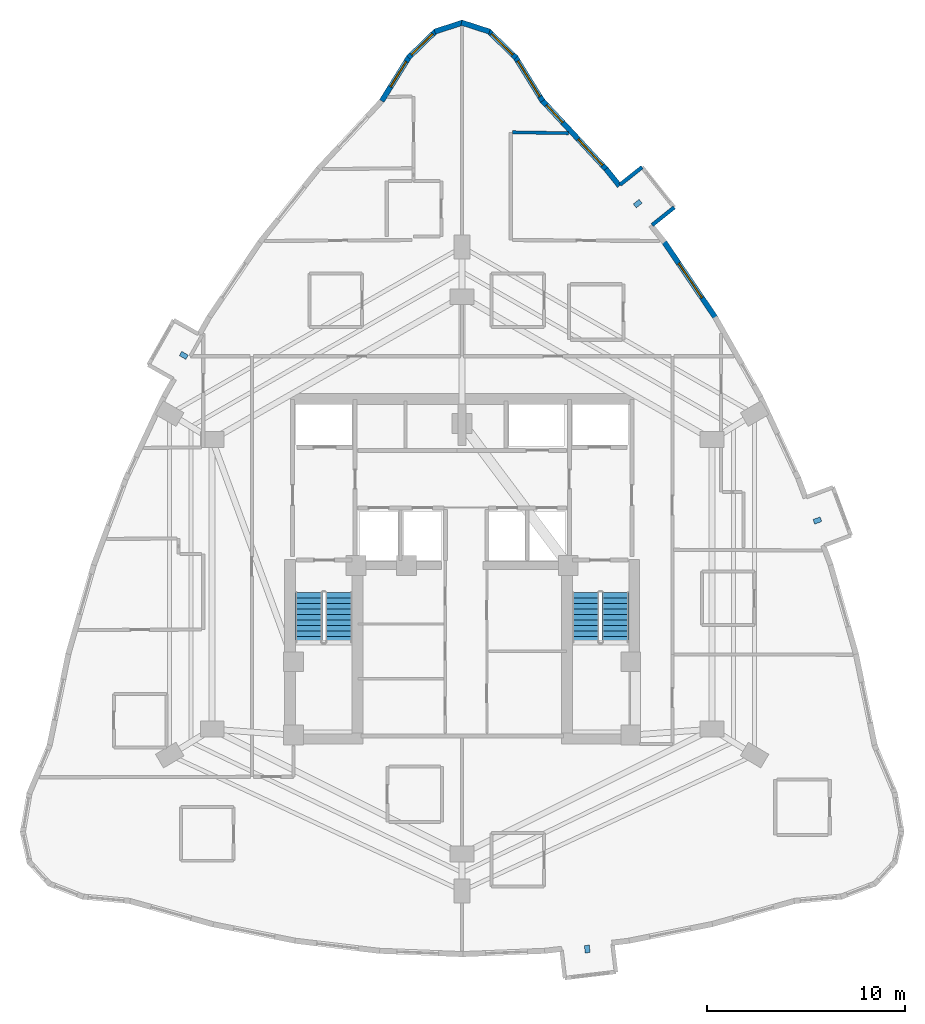
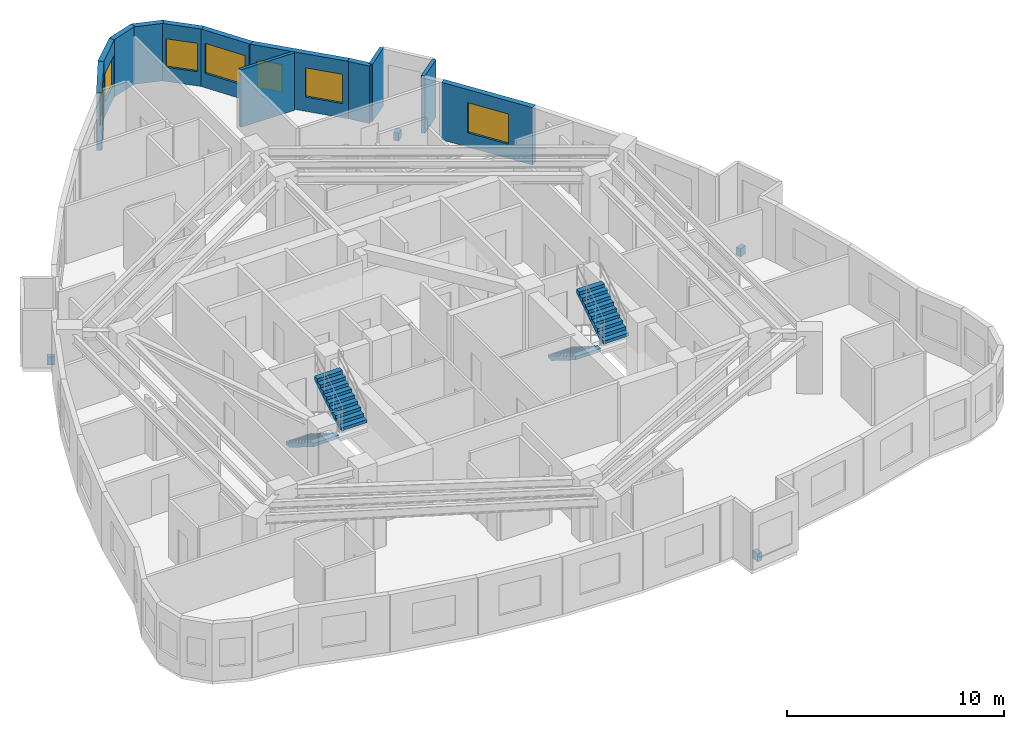
# One storey, part 11 of 12: 12 walls, 7 windows, 4 discrete accessories, 4 stair flights, 7 openings, 2 elements without a shape of their own.
"""IFC4 building model written with IfcOpenShell, lengths in metres."""

from ifc_helpers import new_model, si_unit, direction, frame, frame_2d, origin, origin_2d, place, context, subcontext, project, spatial, polyline, rectangle, outline, extrude, material, layer, layer_set, type_object, element, fill, aggregate, save


model = new_model("IFC4")

# Units and contexts
model_context = context("Model", 3, precision=1e-05, world=origin(), true_north=direction((0.0, 1.0)))
body_context = subcontext(model_context, "Body", "Model", "MODEL_VIEW")
ifc_project = project(units=[si_unit("LENGTHUNIT", "METRE"), si_unit("AREAUNIT", "SQUARE_METRE"), si_unit("VOLUMEUNIT", "CUBIC_METRE"), si_unit("PLANEANGLEUNIT", "RADIAN"), si_unit("MASSUNIT", "GRAM", prefix="KILO")], contexts=[model_context])

# Site, building, storey
site_placement = place(None, origin())
site = spatial("IfcSite", under=ifc_project, at=site_placement, CompositionType="ELEMENT")
building_placement = place(site_placement, origin())
building = spatial("IfcBuilding", under=site, at=building_placement, Name="Miruveldt Soraemaru", CompositionType="ELEMENT")
storey_placement = place(building_placement, frame((0.0, 0.0, 103.89990234375)))
storey = spatial("IfcBuildingStorey", under=building, at=storey_placement, Name="L28", CompositionType="ELEMENT", Elevation=103.89990234375)

# Walls
ifc_material_1 = material(Name="White powder-coated aluminium EN AW-6060 T6", Category="aluminium")
ifc_layer_1 = layer(ifc_material_1, 0.18994140625, Name="White powder-coated aluminium EN AW-6060 T6", Category="aluminium")
ifc_layer_set_1 = layer_set([ifc_layer_1], Name="White powder-coated aluminium EN AW-6060 T6")
wall_type_1 = type_object("IfcWallType", Name="WALL-BAY-ALU190", PredefinedType="SOLIDWALL", material=ifc_layer_set_1)
for number, where, z_axis, x_axis, name in (
    (1, (53.57666015625, 61.210693359375, 0.0), (0.0, 0.0, 1.0), (0.781737193764, 0.623608017817, 0.0), "L28 Bay Window Side Cheek 3L"),
    (2, (53.0693359375, 64.1318359375, 0.0), (0.0, 0.0, 1.0), (-0.781737193764, -0.623608017817, 0.0), "L28 Bay Window Side Cheek 3R"),
):
    element("IfcWall", number, at=place(storey_placement, frame(where, z_axis=z_axis, x_axis=x_axis)), inside=storey, type_object=wall_type_1, Name=name, PredefinedType="SOLIDWALL", context=body_context, shape_type="SweptSolid", body=[
        extrude(rectangle(XDim=1.425048828125, YDim=0.18994140625, at=frame_2d((0.71240234375, 0.0))), origin(), (0.0, 0.0, 1.0), 3.235107421875),
    ])

# Wall, opening, window
ifc_material_2 = material(Name="Precast concrete C45/55 (45 MPa)", Category="concrete")
ifc_layer_2 = layer(ifc_material_2, 0.27001953125, Name="Precast concrete C45/55 (45 MPa)", Category="concrete")
ifc_layer_set_2 = layer_set([ifc_layer_2], Name="Precast concrete C45/55 (45 MPa)")
wall_type_2 = type_object("IfcWallType", Name="WALL-EXT-PC270", PredefinedType="SOLIDWALL", material=ifc_layer_set_2)
wall_1_placement = place(storey_placement, frame((48.0517578125, 67.4658203125, 0.0), z_axis=(0.0, 0.0, 1.0), x_axis=(-0.525989656502, 0.850490964827, 0.0)))
wall_1 = element("IfcWall", 3, at=wall_1_placement, inside=storey, type_object=wall_type_2, Name="L28 Precast Concrete Facade Wall 1", PredefinedType="SOLIDWALL", context=body_context, shape_type="SweptSolid", body=[
    extrude(rectangle(XDim=2.625732421875, YDim=0.27001953125, at=frame_2d((1.31298828125, 0.0))), origin(), (0.0, 0.0, 1.0), 3.235107421875),
])
opening_1_placement = place(wall_1_placement, frame((0.262939453125, 0.0, 0.800048828125)))
opening_1 = element("IfcOpeningElement", 4, at=opening_1_placement, cuts=wall_1, Name="Opening WN-1", PredefinedType="OPENING", context=body_context, shape_type="SweptSolid", body=[
    extrude(rectangle(XDim=2.10009765625, YDim=1.699951171875, at=frame_2d((1.050048828125, 0.85009765625))), frame((0.0, 0.14501953125, 0.0), z_axis=(0.0, -1.0, 0.0), x_axis=(1.0, 0.0, 0.0)), (0.0, 0.0, 1.0), 0.2900390625),
])
ifc_material_3 = material(Name="Triple low-e insulated glazing", Category="glass")
window_type_1 = type_object("IfcWindowType", Name="WIN-PUNCH-2100x1700", PartitioningType="SINGLE_PANEL", PredefinedType="WINDOW", material=ifc_material_3)
window_1_placement = place(opening_1_placement, origin())
window_1 = element("IfcWindow", 5, at=window_1_placement, inside=storey, type_object=window_type_1, Name="L28 Punched Triple-Glazed Window 01.1", OverallHeight=1.699951171875, OverallWidth=2.10009765625, PartitioningType="SINGLE_PANEL", PredefinedType="WINDOW", context=body_context, shape_type="SweptSolid", body=[
    extrude(rectangle(XDim=2.10009765625, YDim=1.699951171875, at=frame_2d((1.050048828125, 0.85009765625))), frame((0.0, 0.030029296875, 0.0), z_axis=(0.0, -1.0, 0.0), x_axis=(1.0, 0.0, 0.0)), (0.0, 0.0, 1.0), 0.06005859375),
])
fill(opening_1, window_1)

wall_2_placement = place(storey_placement, frame((46.714111328125, 69.644775390625, 0.0), z_axis=(0.0, 0.0, 1.0), x_axis=(-0.717829983795, 0.696218438685, 0.0)))
wall_2 = element("IfcWall", 6, at=wall_2_placement, inside=storey, type_object=wall_type_2, Name="L28 Precast Concrete Facade Wall 2", PredefinedType="SOLIDWALL", context=body_context, shape_type="SweptSolid", body=[
    extrude(rectangle(XDim=1.943115234375, YDim=0.27001953125, at=frame_2d((0.9716796875, 0.0))), origin(), (0.0, 0.0, 1.0), 3.235107421875),
])
opening_2_placement = place(wall_2_placement, frame((0.220947265625, 0.0, 0.800048828125)))
opening_2 = element("IfcOpeningElement", 7, at=opening_2_placement, cuts=wall_2, Name="Opening WN-3", PredefinedType="OPENING", context=body_context, shape_type="SweptSolid", body=[
    extrude(rectangle(XDim=1.5, YDim=1.60009765625, at=frame_2d((0.75, 0.800048828125))), frame((0.0, 0.14501953125, 0.0), z_axis=(0.0, -1.0, 0.0), x_axis=(1.0, 0.0, 0.0)), (0.0, 0.0, 1.0), 0.2900390625),
])
window_type_2 = type_object("IfcWindowType", Name="WIN-PUNCH-1500x1600", PartitioningType="SINGLE_PANEL", PredefinedType="WINDOW", material=ifc_material_3)
window_2_placement = place(opening_2_placement, origin())
window_2 = element("IfcWindow", 8, at=window_2_placement, inside=storey, type_object=window_type_2, Name="L28 Punched Triple-Glazed Window 02.1", OverallHeight=1.60009765625, OverallWidth=1.5, PartitioningType="SINGLE_PANEL", PredefinedType="WINDOW", context=body_context, shape_type="SweptSolid", body=[
    extrude(rectangle(XDim=1.5, YDim=1.60009765625, at=frame_2d((0.75, 0.800048828125))), frame((0.0, 0.030029296875, 0.0), z_axis=(0.0, -1.0, 0.0), x_axis=(1.0, 0.0, 0.0)), (0.0, 0.0, 1.0), 0.06005859375),
])
fill(opening_2, window_2)

# Walls
for number, where, z_axis, x_axis, name in (
    (9, (45.377685546875, 70.96240234375, 0.0), (0.0, 0.0, 1.0), (-0.951477132561, 0.307719460245, 0.0), "L28 Precast Concrete Facade Wall 3"),
    (10, (44.033203125, 71.418701171875, 0.0), (0.0, 0.0, 1.0), (-0.951477132561, -0.307719460245, 0.0), "L28 Precast Concrete Facade Wall 4"),
):
    element("IfcWall", number, at=place(storey_placement, frame(where, z_axis=z_axis, x_axis=x_axis)), inside=storey, type_object=wall_type_2, Name=name, PredefinedType="SOLIDWALL", context=body_context, shape_type="SweptSolid", body=[
        extrude(rectangle(XDim=1.48291015625, YDim=0.27001953125, at=frame_2d((0.741455078125, 0.0))), origin(), (0.0, 0.0, 1.0), 3.235107421875),
    ])

# Wall, opening, window
wall_3_placement = place(storey_placement, frame((42.6806640625, 70.99755859375, 0.0), z_axis=(0.0, 0.0, 1.0), x_axis=(-0.717829983795, -0.696218438685, 0.0)))
wall_3 = element("IfcWall", 11, at=wall_3_placement, inside=storey, type_object=wall_type_2, Name="L28 Precast Concrete Facade Wall 5", PredefinedType="SOLIDWALL", context=body_context, shape_type="SweptSolid", body=[
    extrude(rectangle(XDim=1.943115234375, YDim=0.27001953125, at=frame_2d((0.9716796875, 0.0))), origin(), (0.0, 0.0, 1.0), 3.235107421875),
])
opening_3_placement = place(wall_3_placement, frame((0.220947265625, 0.0, 0.800048828125)))
opening_3 = element("IfcOpeningElement", 12, at=opening_3_placement, cuts=wall_3, Name="Opening WN-3", PredefinedType="OPENING", context=body_context, shape_type="SweptSolid", body=[
    extrude(rectangle(XDim=1.5, YDim=1.60009765625, at=frame_2d((0.75, 0.800048828125))), frame((0.0, 0.14501953125, 0.0), z_axis=(0.0, -1.0, 0.0), x_axis=(1.0, 0.0, 0.0)), (0.0, 0.0, 1.0), 0.2900390625),
])
window_3_placement = place(opening_3_placement, origin())
window_3 = element("IfcWindow", 13, at=window_3_placement, inside=storey, type_object=window_type_2, Name="L28 Punched Triple-Glazed Window 05.1", OverallHeight=1.60009765625, OverallWidth=1.5, PartitioningType="SINGLE_PANEL", PredefinedType="WINDOW", context=body_context, shape_type="SweptSolid", body=[
    extrude(rectangle(XDim=1.5, YDim=1.60009765625, at=frame_2d((0.75, 0.800048828125))), frame((0.0, 0.030029296875, 0.0), z_axis=(0.0, -1.0, 0.0), x_axis=(1.0, 0.0, 0.0)), (0.0, 0.0, 1.0), 0.06005859375),
])
fill(opening_3, window_3)

wall_4_placement = place(storey_placement, frame((41.329345703125, 69.698974609375, 0.0), z_axis=(0.0, 0.0, 1.0), x_axis=(-0.525989656502, -0.850490964827, 0.0)))
wall_4 = element("IfcWall", 14, at=wall_4_placement, inside=storey, type_object=wall_type_2, Name="L28 Precast Concrete Facade Wall 6", PredefinedType="SOLIDWALL", context=body_context, shape_type="SweptSolid", body=[
    extrude(rectangle(XDim=2.625732421875, YDim=0.27001953125, at=frame_2d((1.31298828125, 0.0))), origin(), (0.0, 0.0, 1.0), 3.235107421875),
])
opening_4_placement = place(wall_4_placement, frame((0.280029296875, 0.0, 0.800048828125)))
opening_4 = element("IfcOpeningElement", 15, at=opening_4_placement, cuts=wall_4, Name="Opening WN-3", PredefinedType="OPENING", context=body_context, shape_type="SweptSolid", body=[
    extrude(rectangle(XDim=1.5, YDim=1.60009765625, at=frame_2d((0.75, 0.800048828125))), frame((0.0, 0.14501953125, 0.0), z_axis=(0.0, -1.0, 0.0), x_axis=(1.0, 0.0, 0.0)), (0.0, 0.0, 1.0), 0.2900390625),
])
window_4_placement = place(opening_4_placement, origin())
window_4 = element("IfcWindow", 16, at=window_4_placement, inside=storey, type_object=window_type_2, Name="L28 Punched Triple-Glazed Window 06.1", OverallHeight=1.60009765625, OverallWidth=1.5, PartitioningType="SINGLE_PANEL", PredefinedType="WINDOW", context=body_context, shape_type="SweptSolid", body=[
    extrude(rectangle(XDim=1.5, YDim=1.60009765625, at=frame_2d((0.75, 0.800048828125))), frame((0.0, 0.030029296875, 0.0), z_axis=(0.0, -1.0, 0.0), x_axis=(1.0, 0.0, 0.0)), (0.0, 0.0, 1.0), 0.06005859375),
])
fill(opening_4, window_4)

wall_5_placement = place(storey_placement, frame((56.781494140625, 56.525146484375, 0.0), z_axis=(0.0, 0.0, 1.0), x_axis=(-0.560815831127, 0.827940579726, 0.0)))
wall_5 = element("IfcWall", 17, at=wall_5_placement, inside=storey, type_object=wall_type_2, Name="L28 Precast Concrete Facade Wall 40", PredefinedType="SOLIDWALL", context=body_context, shape_type="SweptSolid", body=[
    extrude(rectangle(XDim=4.677734375, YDim=0.27001953125, at=frame_2d((2.3388671875, 0.0))), origin(), (0.0, 0.0, 1.0), 3.235107421875),
])
opening_5_placement = place(wall_5_placement, frame((1.23095703125, 0.0, 0.800048828125)))
opening_5 = element("IfcOpeningElement", 18, at=opening_5_placement, cuts=wall_5, Name="Opening WN-1", PredefinedType="OPENING", context=body_context, shape_type="SweptSolid", body=[
    extrude(rectangle(XDim=2.10009765625, YDim=1.699951171875, at=frame_2d((1.050048828125, 0.85009765625))), frame((0.0, 0.14501953125, 0.0), z_axis=(0.0, -1.0, 0.0), x_axis=(1.0, 0.0, 0.0)), (0.0, 0.0, 1.0), 0.2900390625),
])
window_5_placement = place(opening_5_placement, origin())
window_5 = element("IfcWindow", 19, at=window_5_placement, inside=storey, type_object=window_type_1, Name="L28 Punched Triple-Glazed Window 40.1", OverallHeight=1.699951171875, OverallWidth=2.10009765625, PartitioningType="SINGLE_PANEL", PredefinedType="WINDOW", context=body_context, shape_type="SweptSolid", body=[
    extrude(rectangle(XDim=2.10009765625, YDim=1.699951171875, at=frame_2d((1.050048828125, 0.85009765625))), frame((0.0, 0.030029296875, 0.0), z_axis=(0.0, -1.0, 0.0), x_axis=(1.0, 0.0, 0.0)), (0.0, 0.0, 1.0), 0.06005859375),
])
fill(opening_5, window_5)

# Wall
wall_6_placement = place(storey_placement, frame((51.930908203125, 63.185302734375, 0.0), z_axis=(0.0, 0.0, 1.0), x_axis=(-0.623501159963, 0.781822424547, 0.0)))
element("IfcWall", 20, at=wall_6_placement, inside=storey, type_object=wall_type_2, Name="L28 Precast Pier Wall 41B", PredefinedType="SOLIDWALL", context=body_context, shape_type="SweptSolid", body=[
    extrude(rectangle(XDim=1.097900390625, YDim=0.27001953125, at=frame_2d((0.548828125, 0.0))), origin(), (0.0, 0.0, 1.0), 3.235107421875),
])

# Wall, openings, windows
wall_7_placement = place(storey_placement, frame((51.2919921875, 63.990478515625, 0.0), z_axis=(0.0, 0.0, 1.0), x_axis=(-0.680886087192, 0.732389333803, 0.0)))
wall_7 = element("IfcWall", 21, at=wall_7_placement, inside=storey, type_object=wall_type_2, Name="L28 Precast Concrete Facade Wall 42", PredefinedType="SOLIDWALL", context=body_context, shape_type="SweptSolid", body=[
    extrude(rectangle(XDim=4.82080078125, YDim=0.27001953125, at=frame_2d((2.410400390625, 0.0))), origin(), (0.0, 0.0, 1.0), 3.235107421875),
])
opening_6_placement = place(wall_7_placement, frame((0.31298828125, 0.0, 0.800048828125)))
opening_6 = element("IfcOpeningElement", 22, at=opening_6_placement, cuts=wall_7, Name="Opening WN-2", PredefinedType="OPENING", context=body_context, shape_type="SweptSolid", body=[
    extrude(rectangle(XDim=1.800048828125, YDim=1.64990234375, at=frame_2d((0.89990234375, 0.824951171875))), frame((0.0, 0.14501953125, 0.0), z_axis=(0.0, -1.0, 0.0), x_axis=(1.0, 0.0, 0.0)), (0.0, 0.0, 1.0), 0.2900390625),
])
opening_7_placement = place(wall_7_placement, frame((3.263916015625, 0.0, 0.780029296875)))
opening_7 = element("IfcOpeningElement", 23, at=opening_7_placement, cuts=wall_7, Name="Opening WN-4", PredefinedType="OPENING", context=body_context, shape_type="SweptSolid", body=[
    extrude(rectangle(XDim=1.199951171875, YDim=1.550048828125, at=frame_2d((0.60009765625, 0.77490234375))), frame((0.0, 0.14501953125, 0.0), z_axis=(0.0, -1.0, 0.0), x_axis=(1.0, 0.0, 0.0)), (0.0, 0.0, 1.0), 0.2900390625),
])
window_type_3 = type_object("IfcWindowType", Name="WIN-PUNCH-1200x1550", PartitioningType="SINGLE_PANEL", PredefinedType="WINDOW", material=ifc_material_3)
window_6_placement = place(opening_7_placement, origin())
window_6 = element("IfcWindow", 24, at=window_6_placement, inside=storey, type_object=window_type_3, Name="L28 Punched Triple-Glazed Window 42.2", OverallHeight=1.550048828125, OverallWidth=1.199951171875, PartitioningType="SINGLE_PANEL", PredefinedType="WINDOW", context=body_context, shape_type="SweptSolid", body=[
    extrude(rectangle(XDim=1.199951171875, YDim=1.550048828125, at=frame_2d((0.60009765625, 0.77490234375))), frame((0.0, 0.030029296875, 0.0), z_axis=(0.0, -1.0, 0.0), x_axis=(1.0, 0.0, 0.0)), (0.0, 0.0, 1.0), 0.06005859375),
])
fill(opening_7, window_6)
window_type_4 = type_object("IfcWindowType", Name="WIN-PUNCH-1800x1650", PartitioningType="SINGLE_PANEL", PredefinedType="WINDOW", material=ifc_material_3)
window_7_placement = place(opening_6_placement, origin())
window_7 = element("IfcWindow", 25, at=window_7_placement, inside=storey, type_object=window_type_4, Name="L28 Punched Triple-Glazed Window 42.1", OverallHeight=1.64990234375, OverallWidth=1.800048828125, PartitioningType="SINGLE_PANEL", PredefinedType="WINDOW", context=body_context, shape_type="SweptSolid", body=[
    extrude(rectangle(XDim=1.800048828125, YDim=1.64990234375, at=frame_2d((0.89990234375, 0.824951171875))), frame((0.0, 0.030029296875, 0.0), z_axis=(0.0, -1.0, 0.0), x_axis=(1.0, 0.0, 0.0)), (0.0, 0.0, 1.0), 0.06005859375),
])
fill(opening_6, window_7)

# Wall
ifc_material_4 = material(Name="Concrete C40/50 (40 MPa)", Category="concrete")
ifc_layer_3 = layer(ifc_material_4, 0.159912109375, Name="Concrete C40/50 (40 MPa)", Category="concrete")
ifc_layer_set_3 = layer_set([ifc_layer_3], Name="Concrete C40/50 (40 MPa)")
wall_type_3 = type_object("IfcWallType", Name="WALL-INT-RC160", PredefinedType="SOLIDWALL", material=ifc_layer_set_3)
wall_8_placement = place(storey_placement, frame((46.530029296875, 65.887939453125, 0.0), z_axis=(0.0, 0.0, 1.0), x_axis=(0.999863519285, -0.016520980697, 0.0)))
element("IfcWall", 26, at=wall_8_placement, inside=storey, type_object=wall_type_3, Name="L28 Partition Wall 35", PredefinedType="SOLIDWALL", context=body_context, shape_type="SweptSolid", body=[
    extrude(rectangle(XDim=2.83740234375, YDim=0.159912109375, at=frame_2d((1.418701171875, 0.0))), origin(), (0.0, 0.0, 1.0), 3.235107421875),
])

# Stair, stair flights
stair_type = type_object("IfcStairType", Name="STAIR-DL-350", PredefinedType="HALF_TURN_STAIR", material=ifc_material_4)
stair_1_placement = place(storey_placement, origin())
stair_1 = element("IfcStair", 27, at=stair_1_placement, inside=storey, type_object=stair_type, Name="L28 Protected Exit Stair ST-1", PredefinedType="HALF_TURN_STAIR")
stair_flight_type = type_object("IfcStairFlightType", Name="SFL-DL-350", PredefinedType="STRAIGHT", material=ifc_material_4)
stair_flight_1_placement = place(storey_placement, frame((36.27490234375, 42.699951171875, 0.0), z_axis=(0.0, 0.0, 1.0), x_axis=(0.0, -1.0, 0.0)))
stair_flight_1 = element("IfcStairFlight", 28, at=stair_flight_1_placement, type_object=stair_flight_type, Name="ST-1 flight 1", NumberOfRisers=10, NumberOfTreads=9, PredefinedType="STRAIGHT", RiserHeight=0.175, TreadLength=0.28, context=body_context, shape_type="SweptSolid", body=[
    extrude(outline(polyline([(0.0, 0.0), (0.0, 0.175048828125), (0.280029296875, 0.175048828125), (0.280029296875, 0.35009765625), (0.56005859375, 0.35009765625), (0.56005859375, 0.52490234375), (0.840087890625, 0.52490234375), (0.840087890625, 0.699951171875), (1.1201171875, 0.699951171875), (1.1201171875, 0.875), (1.39990234375, 0.875), (1.39990234375, 1.050048828125), (1.679931640625, 1.050048828125), (1.679931640625, 1.22509765625), (1.9599609375, 1.22509765625), (1.9599609375, 1.39990234375), (2.239990234375, 1.39990234375), (2.239990234375, 1.574951171875), (2.52001953125, 1.574951171875), (2.52001953125, 1.75), (2.52001953125, 1.386474609375), (0.3017578125, 0.0), (0.0, 0.0)])), frame((0.0, 0.675048828125, 0.0), z_axis=(0.0, -1.0, 0.0), x_axis=(1.0, 0.0, 0.0)), (0.0, 0.0, 1.0), 1.35009765625),
])
stair_flight_2_placement = place(storey_placement, frame((37.77490234375, 40.179931640625, 1.75), z_axis=(0.0, 0.0, 1.0), x_axis=(0.0, 1.0, 0.0)))
stair_flight_2 = element("IfcStairFlight", 29, at=stair_flight_2_placement, type_object=stair_flight_type, Name="ST-1 flight 2", NumberOfRisers=10, NumberOfTreads=9, PredefinedType="STRAIGHT", RiserHeight=0.175, TreadLength=0.28, context=body_context, shape_type="SweptSolid", body=[
    extrude(outline(polyline([(0.0, 0.0), (0.0, 0.175048828125), (0.280029296875, 0.175048828125), (0.280029296875, 0.35009765625), (0.56005859375, 0.35009765625), (0.56005859375, 0.52490234375), (0.840087890625, 0.52490234375), (0.840087890625, 0.699951171875), (1.1201171875, 0.699951171875), (1.1201171875, 0.875), (1.39990234375, 0.875), (1.39990234375, 1.050048828125), (1.679931640625, 1.050048828125), (1.679931640625, 1.22509765625), (1.9599609375, 1.22509765625), (1.9599609375, 1.39990234375), (2.239990234375, 1.39990234375), (2.239990234375, 1.574951171875), (2.52001953125, 1.574951171875), (2.52001953125, 1.75), (2.52001953125, 1.386474609375), (0.3017578125, 0.0), (0.0, 0.0)])), frame((0.0, 0.675048828125, 0.0), z_axis=(0.0, -1.0, 0.0), x_axis=(1.0, 0.0, 0.0)), (0.0, 0.0, 1.0), 1.35009765625),
])
aggregate(stair_1, [stair_flight_1, stair_flight_2])

stair_2_placement = place(storey_placement, origin())
stair_2 = element("IfcStair", 30, at=stair_2_placement, inside=storey, type_object=stair_type, Name="L28 Protected Exit Stair ST-2", PredefinedType="HALF_TURN_STAIR")
stair_flight_3_placement = place(storey_placement, frame((50.22509765625, 42.699951171875, 0.0), z_axis=(0.0, 0.0, 1.0), x_axis=(0.0, -1.0, 0.0)))
stair_flight_3 = element("IfcStairFlight", 31, at=stair_flight_3_placement, type_object=stair_flight_type, Name="ST-2 flight 1", NumberOfRisers=10, NumberOfTreads=9, PredefinedType="STRAIGHT", RiserHeight=0.175, TreadLength=0.28, context=body_context, shape_type="SweptSolid", body=[
    extrude(outline(polyline([(0.0, 0.0), (0.0, 0.175048828125), (0.280029296875, 0.175048828125), (0.280029296875, 0.35009765625), (0.56005859375, 0.35009765625), (0.56005859375, 0.52490234375), (0.840087890625, 0.52490234375), (0.840087890625, 0.699951171875), (1.1201171875, 0.699951171875), (1.1201171875, 0.875), (1.39990234375, 0.875), (1.39990234375, 1.050048828125), (1.679931640625, 1.050048828125), (1.679931640625, 1.22509765625), (1.9599609375, 1.22509765625), (1.9599609375, 1.39990234375), (2.239990234375, 1.39990234375), (2.239990234375, 1.574951171875), (2.52001953125, 1.574951171875), (2.52001953125, 1.75), (2.52001953125, 1.386474609375), (0.3017578125, 0.0), (0.0, 0.0)])), frame((0.0, 0.675048828125, 0.0), z_axis=(0.0, -1.0, 0.0), x_axis=(1.0, 0.0, 0.0)), (0.0, 0.0, 1.0), 1.35009765625),
])
stair_flight_4_placement = place(storey_placement, frame((51.72509765625, 40.179931640625, 1.75), z_axis=(0.0, 0.0, 1.0), x_axis=(0.0, 1.0, 0.0)))
stair_flight_4 = element("IfcStairFlight", 32, at=stair_flight_4_placement, type_object=stair_flight_type, Name="ST-2 flight 2", NumberOfRisers=10, NumberOfTreads=9, PredefinedType="STRAIGHT", RiserHeight=0.175, TreadLength=0.28, context=body_context, shape_type="SweptSolid", body=[
    extrude(outline(polyline([(0.0, 0.0), (0.0, 0.175048828125), (0.280029296875, 0.175048828125), (0.280029296875, 0.35009765625), (0.56005859375, 0.35009765625), (0.56005859375, 0.52490234375), (0.840087890625, 0.52490234375), (0.840087890625, 0.699951171875), (1.1201171875, 0.699951171875), (1.1201171875, 0.875), (1.39990234375, 0.875), (1.39990234375, 1.050048828125), (1.679931640625, 1.050048828125), (1.679931640625, 1.22509765625), (1.9599609375, 1.22509765625), (1.9599609375, 1.39990234375), (2.239990234375, 1.39990234375), (2.239990234375, 1.574951171875), (2.52001953125, 1.574951171875), (2.52001953125, 1.75), (2.52001953125, 1.386474609375), (0.3017578125, 0.0), (0.0, 0.0)])), frame((0.0, 0.675048828125, 0.0), z_axis=(0.0, -1.0, 0.0), x_axis=(1.0, 0.0, 0.0)), (0.0, 0.0, 1.0), 1.35009765625),
])
aggregate(stair_2, [stair_flight_3, stair_flight_4])

# Discrete accessories
ifc_material_5 = material(Name="Steel SM355 (355 MPa)", Category="steel")
discrete_accessory_type = type_object("IfcDiscreteAccessoryType", Name="ACC-BAY-BRK", PredefinedType="BRACKET", material=ifc_material_5)
for number, where, z_axis, x_axis, name in (
    (33, (50.3076171875, 24.71728515625, -0.7099609375), (0.0, 0.0, 1.0), (0.119149147143, -0.992876367296, 0.0), "L28 Bay Window Cantilever Bracket 1"),
    (34, (61.908203125, 46.318115234375, -0.7099609375), (0.0, 0.0, 1.0), (0.93711153314, 0.349030048069, 0.0), "L28 Bay Window Cantilever Bracket 2"),
    (35, (52.847900390625, 62.29248046875, -0.7099609375), (0.0, 0.0, 1.0), (0.781727315753, 0.623620400408, 0.0), "L28 Bay Window Cantilever Bracket 3"),
    (36, (29.969482421875, 54.641845703125, -0.7099609375), (0.0, 0.0, 1.0), (-0.869839554062, 0.493334724289, 0.0), "L28 Bay Window Cantilever Bracket 4"),
):
    element("IfcDiscreteAccessory", number, at=place(storey_placement, frame(where, z_axis=z_axis, x_axis=x_axis)), inside=storey, type_object=discrete_accessory_type, Name=name, PredefinedType="BRACKET", context=body_context, shape_type="SweptSolid", body=[
        extrude(rectangle(XDim=0.3798828125, YDim=0.25, at=origin_2d()), origin(), (0.0, 0.0, 1.0), 0.449951171875),
    ])

save(model, "model.ifc")
